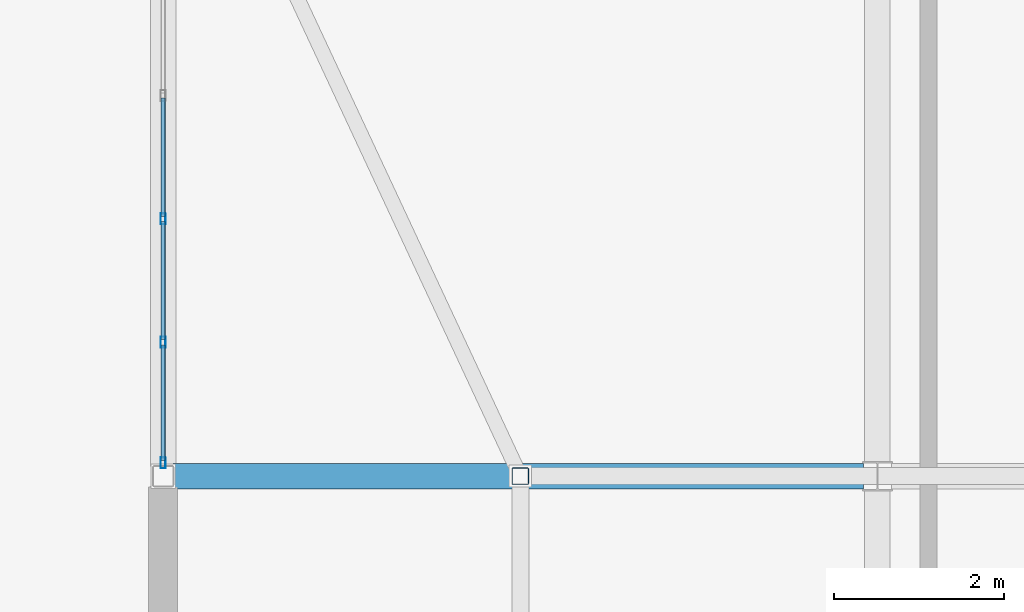
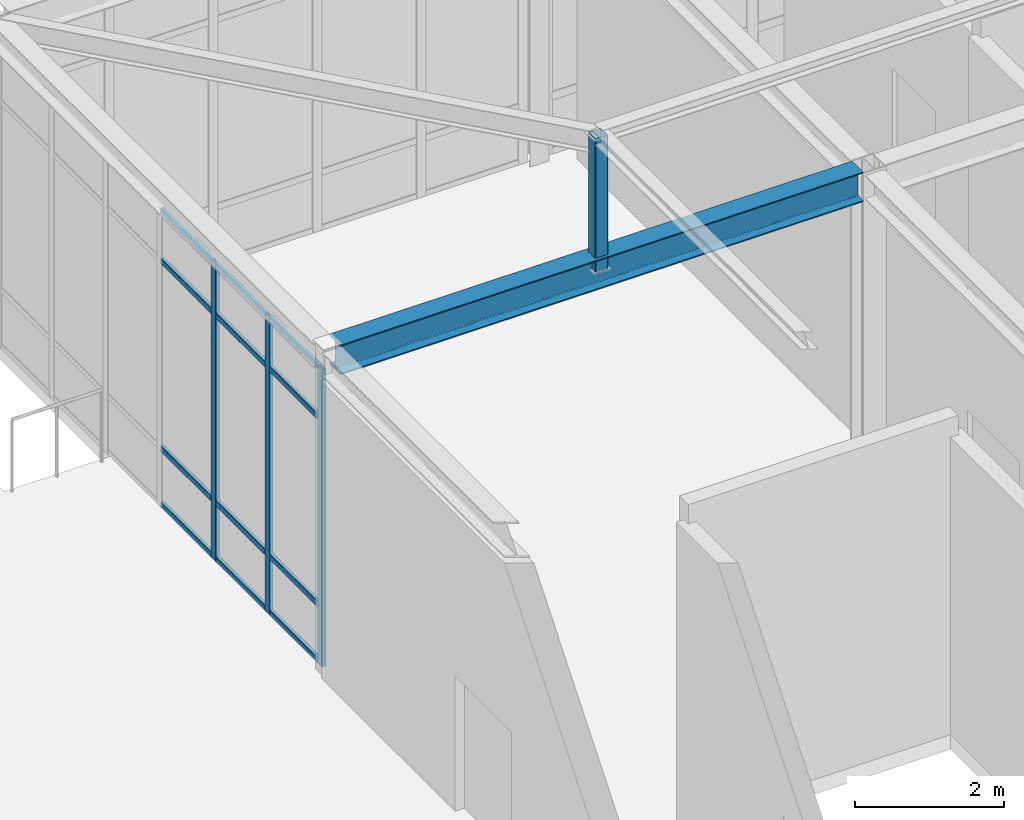
# One storey, part 63 of 121: 16 members, 1 beam, 1 element without a shape of its own.
"""IFC4 building model written with IfcOpenShell, lengths in metres."""

from ifc_helpers import new_model, si_unit, direction, frame, origin, origin_2d, place, context, subcontext, project, spatial, hollow_rectangle, i_section, extrude, material, material_profile, profile_set, type_object, element, aggregate, save


model = new_model("IFC4")

# Units and contexts
model_context = context("Model", 3, precision=1e-05, world=origin(), true_north=direction((0.0, 1.0)))
body_context = subcontext(model_context, "Body", "Model", "MODEL_VIEW")
ifc_project = project(units=[si_unit("LENGTHUNIT", "METRE"), si_unit("AREAUNIT", "SQUARE_METRE"), si_unit("VOLUMEUNIT", "CUBIC_METRE"), si_unit("PLANEANGLEUNIT", "RADIAN"), si_unit("MASSUNIT", "GRAM", prefix="KILO")], contexts=[model_context])

# Site, building, storey
site_placement = place(None, origin())
site = spatial("IfcSite", under=ifc_project, at=site_placement, CompositionType="ELEMENT")
building_placement = place(site_placement, origin())
building = spatial("IfcBuilding", under=site, at=building_placement, Name="Canglan Escarpment Cableway Terminal", CompositionType="ELEMENT")
storey_placement = place(building_placement, frame((0.0, 0.0, 24.60009765625)))
storey = spatial("IfcBuildingStorey", under=building, at=storey_placement, Name="L05", CompositionType="ELEMENT", Elevation=24.60009765625)

# Beam
ifc_material_1 = material(Name="Steel Q355B", Category="steel")
ifc_material_profile_1 = material_profile(ifc_material_1, i_section(OverallWidth=0.300048828125, OverallDepth=0.488037109375, WebThickness=0.010986328125, FlangeThickness=0.01806640625, FilletRadius=0.02587890625, at=origin_2d()), Name="HM 488x300x11x18")
ifc_profile_set_1 = profile_set([ifc_material_profile_1], Name="Steel Q355B")
beam_type = type_object("IfcBeamType", Name="BM-HM488", PredefinedType="BEAM", material=ifc_profile_set_1)
beam_placement = place(storey_placement, frame((120.014892578125, 106.0, 5.139892578125), z_axis=(1.0, 0.0, 0.0), x_axis=(0.0, 1.0, 0.0)))
element("IfcBeam", 1, at=beam_placement, inside=storey, type_object=beam_type, Name="Drive House roof eave tie girder B-09", PredefinedType="BEAM", context=body_context, shape_type="SweptSolid", body=[
    extrude(i_section(OverallWidth=0.300048828125, OverallDepth=0.488037109375, WebThickness=0.010986328125, FlangeThickness=0.01806640625, FilletRadius=0.02587890625, at=origin_2d()), origin(), (0.0, 0.0, 1.0), 8.1201171875),
])

# Curtain wall, members
ifc_material_2 = material(Name="Anodized bronze aluminium and Low-E double glazing", Category="aluminium")
curtain_wall_type = type_object("IfcCurtainWallType", Name="CW-BAY-8700x4875", PredefinedType="NOTDEFINED", material=ifc_material_2)
curtain_wall_placement = place(storey_placement, origin())
curtain_wall = element("IfcCurtainWall", 2, at=curtain_wall_placement, inside=storey, type_object=curtain_wall_type, Name="Classical bay-between-piers glazed curtain wall CW-61", PredefinedType="NOTDEFINED")
ifc_material_3 = material(Name="Thermally broken anodized aluminium 6063-T6", Category="aluminium")
ifc_material_profile_2 = material_profile(ifc_material_3, hollow_rectangle(XDim=0.06005859375, YDim=0.1298828125, WallThickness=0.0029296875, InnerFilletRadius=0.0029296875, OuterFilletRadius=0.006103515625, at=origin_2d()), Name="ALU-MULL 60x130x3")
ifc_profile_set_2 = profile_set([ifc_material_profile_2], Name="Thermally broken anodized aluminium 6063-T6")
member_type_1 = type_object("IfcMemberType", Name="CWM-01", PredefinedType="MULLION", material=ifc_profile_set_2)
member_1_placement = place(storey_placement, frame((119.89990234375, 109.02490234375, 0.0), z_axis=(0.0, 0.0, 1.0), x_axis=(1.0, 0.0, 0.0)))
member_1 = element("IfcMember", 3, at=member_1_placement, type_object=member_type_1, Name="CW-61 mullion 5", PredefinedType="MULLION", context=body_context, shape_type="SweptSolid", body=[
    extrude(hollow_rectangle(XDim=0.06005859375, YDim=0.1298828125, WallThickness=0.0029296875, InnerFilletRadius=0.0029296875, OuterFilletRadius=0.006103515625, at=origin_2d()), origin(), (0.0, 0.0, 1.0), 4.880859375),
])
member_2_placement = place(storey_placement, frame((119.89990234375, 107.574951171875, 0.0), z_axis=(0.0, 0.0, 1.0), x_axis=(1.0, 0.0, 0.0)))
member_2 = element("IfcMember", 4, at=member_2_placement, type_object=member_type_1, Name="CW-61 mullion 6", PredefinedType="MULLION", context=body_context, shape_type="SweptSolid", body=[
    extrude(hollow_rectangle(XDim=0.06005859375, YDim=0.1298828125, WallThickness=0.0029296875, InnerFilletRadius=0.0029296875, OuterFilletRadius=0.006103515625, at=origin_2d()), origin(), (0.0, 0.0, 1.0), 4.880859375),
])
member_3_placement = place(storey_placement, frame((119.89990234375, 106.155029296875, 0.0), z_axis=(0.0, 0.0, 1.0), x_axis=(1.0, 0.0, 0.0)))
member_3 = element("IfcMember", 5, at=member_3_placement, type_object=member_type_1, Name="CW-61 mullion 7", PredefinedType="MULLION", context=body_context, shape_type="SweptSolid", body=[
    extrude(hollow_rectangle(XDim=0.06005859375, YDim=0.1298828125, WallThickness=0.0029296875, InnerFilletRadius=0.0029296875, OuterFilletRadius=0.006103515625, at=origin_2d()), origin(), (0.0, 0.0, 1.0), 4.880859375),
])
ifc_material_profile_3 = material_profile(ifc_material_3, hollow_rectangle(XDim=0.054931640625, YDim=0.094970703125, WallThickness=0.0029296875, InnerFilletRadius=0.0029296875, OuterFilletRadius=0.006103515625, at=origin_2d()), Name="ALU-TRAN 55x95x3")
ifc_profile_set_3 = profile_set([ifc_material_profile_3], Name="Thermally broken anodized aluminium 6063-T6")
member_type_2 = type_object("IfcMemberType", Name="CWT-01", PredefinedType="USERDEFINED", material=ifc_profile_set_3)
member_4_placement = place(storey_placement, frame((119.89990234375, 110.445068359375, 0.02734375), z_axis=(0.0, -1.0, 0.0), x_axis=(1.0, 0.0, 0.0)))
member_4 = element("IfcMember", 6, at=member_4_placement, type_object=member_type_2, Name="CW-61 transom 4.1", ObjectType="TRANSOM", PredefinedType="USERDEFINED", context=body_context, shape_type="SweptSolid", body=[
    extrude(hollow_rectangle(XDim=0.054931640625, YDim=0.094970703125, WallThickness=0.0029296875, InnerFilletRadius=0.0029296875, OuterFilletRadius=0.006103515625, at=origin_2d()), origin(), (0.0, 0.0, 1.0), 1.39013671875),
])
member_5_placement = place(storey_placement, frame((119.89990234375, 110.445068359375, 0.949951171875), z_axis=(0.0, -1.0, 0.0), x_axis=(1.0, 0.0, 0.0)))
member_5 = element("IfcMember", 7, at=member_5_placement, type_object=member_type_2, Name="CW-61 transom 4.2", ObjectType="TRANSOM", PredefinedType="USERDEFINED", context=body_context, shape_type="SweptSolid", body=[
    extrude(hollow_rectangle(XDim=0.054931640625, YDim=0.094970703125, WallThickness=0.0029296875, InnerFilletRadius=0.0029296875, OuterFilletRadius=0.006103515625, at=origin_2d()), origin(), (0.0, 0.0, 1.0), 1.39013671875),
])
member_6_placement = place(storey_placement, frame((119.89990234375, 110.445068359375, 4.031005859375), z_axis=(0.0, -1.0, 0.0), x_axis=(1.0, 0.0, 0.0)))
member_6 = element("IfcMember", 8, at=member_6_placement, type_object=member_type_2, Name="CW-61 transom 4.3", ObjectType="TRANSOM", PredefinedType="USERDEFINED", context=body_context, shape_type="SweptSolid", body=[
    extrude(hollow_rectangle(XDim=0.054931640625, YDim=0.094970703125, WallThickness=0.0029296875, InnerFilletRadius=0.0029296875, OuterFilletRadius=0.006103515625, at=origin_2d()), origin(), (0.0, 0.0, 1.0), 1.39013671875),
])
member_7_placement = place(storey_placement, frame((119.89990234375, 110.445068359375, 4.853515625), z_axis=(0.0, -1.0, 0.0), x_axis=(1.0, 0.0, 0.0)))
member_7 = element("IfcMember", 9, at=member_7_placement, type_object=member_type_2, Name="CW-61 transom 4.4", ObjectType="TRANSOM", PredefinedType="USERDEFINED", context=body_context, shape_type="SweptSolid", body=[
    extrude(hollow_rectangle(XDim=0.054931640625, YDim=0.094970703125, WallThickness=0.0029296875, InnerFilletRadius=0.0029296875, OuterFilletRadius=0.006103515625, at=origin_2d()), origin(), (0.0, 0.0, 1.0), 1.39013671875),
])
member_8_placement = place(storey_placement, frame((119.89990234375, 108.9951171875, 0.02734375), z_axis=(0.0, -1.0, 0.0), x_axis=(1.0, 0.0, 0.0)))
member_8 = element("IfcMember", 10, at=member_8_placement, type_object=member_type_2, Name="CW-61 transom 5.1", ObjectType="TRANSOM", PredefinedType="USERDEFINED", context=body_context, shape_type="SweptSolid", body=[
    extrude(hollow_rectangle(XDim=0.054931640625, YDim=0.094970703125, WallThickness=0.0029296875, InnerFilletRadius=0.0029296875, OuterFilletRadius=0.006103515625, at=origin_2d()), origin(), (0.0, 0.0, 1.0), 1.39013671875),
])
member_9_placement = place(storey_placement, frame((119.89990234375, 108.9951171875, 0.949951171875), z_axis=(0.0, -1.0, 0.0), x_axis=(1.0, 0.0, 0.0)))
member_9 = element("IfcMember", 11, at=member_9_placement, type_object=member_type_2, Name="CW-61 transom 5.2", ObjectType="TRANSOM", PredefinedType="USERDEFINED", context=body_context, shape_type="SweptSolid", body=[
    extrude(hollow_rectangle(XDim=0.054931640625, YDim=0.094970703125, WallThickness=0.0029296875, InnerFilletRadius=0.0029296875, OuterFilletRadius=0.006103515625, at=origin_2d()), origin(), (0.0, 0.0, 1.0), 1.39013671875),
])
member_10_placement = place(storey_placement, frame((119.89990234375, 108.9951171875, 4.031005859375), z_axis=(0.0, -1.0, 0.0), x_axis=(1.0, 0.0, 0.0)))
member_10 = element("IfcMember", 12, at=member_10_placement, type_object=member_type_2, Name="CW-61 transom 5.3", ObjectType="TRANSOM", PredefinedType="USERDEFINED", context=body_context, shape_type="SweptSolid", body=[
    extrude(hollow_rectangle(XDim=0.054931640625, YDim=0.094970703125, WallThickness=0.0029296875, InnerFilletRadius=0.0029296875, OuterFilletRadius=0.006103515625, at=origin_2d()), origin(), (0.0, 0.0, 1.0), 1.39013671875),
])
member_11_placement = place(storey_placement, frame((119.89990234375, 108.9951171875, 4.853515625), z_axis=(0.0, -1.0, 0.0), x_axis=(1.0, 0.0, 0.0)))
member_11 = element("IfcMember", 13, at=member_11_placement, type_object=member_type_2, Name="CW-61 transom 5.4", ObjectType="TRANSOM", PredefinedType="USERDEFINED", context=body_context, shape_type="SweptSolid", body=[
    extrude(hollow_rectangle(XDim=0.054931640625, YDim=0.094970703125, WallThickness=0.0029296875, InnerFilletRadius=0.0029296875, OuterFilletRadius=0.006103515625, at=origin_2d()), origin(), (0.0, 0.0, 1.0), 1.39013671875),
])
member_12_placement = place(storey_placement, frame((119.89990234375, 107.544921875, 0.02734375), z_axis=(0.0, -1.0, 0.0), x_axis=(1.0, 0.0, 0.0)))
member_12 = element("IfcMember", 14, at=member_12_placement, type_object=member_type_2, Name="CW-61 transom 6.1", ObjectType="TRANSOM", PredefinedType="USERDEFINED", context=body_context, shape_type="SweptSolid", body=[
    extrude(hollow_rectangle(XDim=0.054931640625, YDim=0.094970703125, WallThickness=0.0029296875, InnerFilletRadius=0.0029296875, OuterFilletRadius=0.006103515625, at=origin_2d()), origin(), (0.0, 0.0, 1.0), 1.35986328125),
])
member_13_placement = place(storey_placement, frame((119.89990234375, 107.544921875, 0.949951171875), z_axis=(0.0, -1.0, 0.0), x_axis=(1.0, 0.0, 0.0)))
member_13 = element("IfcMember", 15, at=member_13_placement, type_object=member_type_2, Name="CW-61 transom 6.2", ObjectType="TRANSOM", PredefinedType="USERDEFINED", context=body_context, shape_type="SweptSolid", body=[
    extrude(hollow_rectangle(XDim=0.054931640625, YDim=0.094970703125, WallThickness=0.0029296875, InnerFilletRadius=0.0029296875, OuterFilletRadius=0.006103515625, at=origin_2d()), origin(), (0.0, 0.0, 1.0), 1.35986328125),
])
member_14_placement = place(storey_placement, frame((119.89990234375, 107.544921875, 4.031005859375), z_axis=(0.0, -1.0, 0.0), x_axis=(1.0, 0.0, 0.0)))
member_14 = element("IfcMember", 16, at=member_14_placement, type_object=member_type_2, Name="CW-61 transom 6.3", ObjectType="TRANSOM", PredefinedType="USERDEFINED", context=body_context, shape_type="SweptSolid", body=[
    extrude(hollow_rectangle(XDim=0.054931640625, YDim=0.094970703125, WallThickness=0.0029296875, InnerFilletRadius=0.0029296875, OuterFilletRadius=0.006103515625, at=origin_2d()), origin(), (0.0, 0.0, 1.0), 1.35986328125),
])
member_15_placement = place(storey_placement, frame((119.89990234375, 107.544921875, 4.853515625), z_axis=(0.0, -1.0, 0.0), x_axis=(1.0, 0.0, 0.0)))
member_15 = element("IfcMember", 17, at=member_15_placement, type_object=member_type_2, Name="CW-61 transom 6.4", ObjectType="TRANSOM", PredefinedType="USERDEFINED", context=body_context, shape_type="SweptSolid", body=[
    extrude(hollow_rectangle(XDim=0.054931640625, YDim=0.094970703125, WallThickness=0.0029296875, InnerFilletRadius=0.0029296875, OuterFilletRadius=0.006103515625, at=origin_2d()), origin(), (0.0, 0.0, 1.0), 1.35986328125),
])
aggregate(curtain_wall, [member_1, member_2, member_3, member_4, member_5, member_6, member_7, member_8, member_9, member_10, member_11, member_12, member_13, member_14, member_15])

# Member
ifc_material_profile_4 = material_profile(ifc_material_1, hollow_rectangle(XDim=0.199951171875, YDim=0.199951171875, WallThickness=0.008056640625, InnerFilletRadius=0.008056640625, OuterFilletRadius=0.01611328125, at=origin_2d()), Name="SHS 200x200x8")
ifc_profile_set_4 = profile_set([ifc_material_profile_4], Name="Steel Q355B")
member_type_3 = type_object("IfcMemberType", Name="MB-PRATT-WEB-SHS200", PredefinedType="BRACE", material=ifc_profile_set_4)
member_16_placement = place(storey_placement, frame((124.10009765625, 106.0, 5.139892578125), z_axis=(0.0, 0.0, 1.0), x_axis=(1.0, 0.0, 0.0)))
element("IfcMember", 18, at=member_16_placement, inside=storey, type_object=member_type_3, Name="Drive House lantern ROOF TRUSS strut PT-WB1", PredefinedType="BRACE", context=body_context, shape_type="SweptSolid", body=[
    extrude(hollow_rectangle(XDim=0.199951171875, YDim=0.199951171875, WallThickness=0.008056640625, InnerFilletRadius=0.008056640625, OuterFilletRadius=0.01611328125, at=origin_2d()), origin(), (0.0, 0.0, 1.0), 2.199951171875),
])

save(model, "model.ifc")
